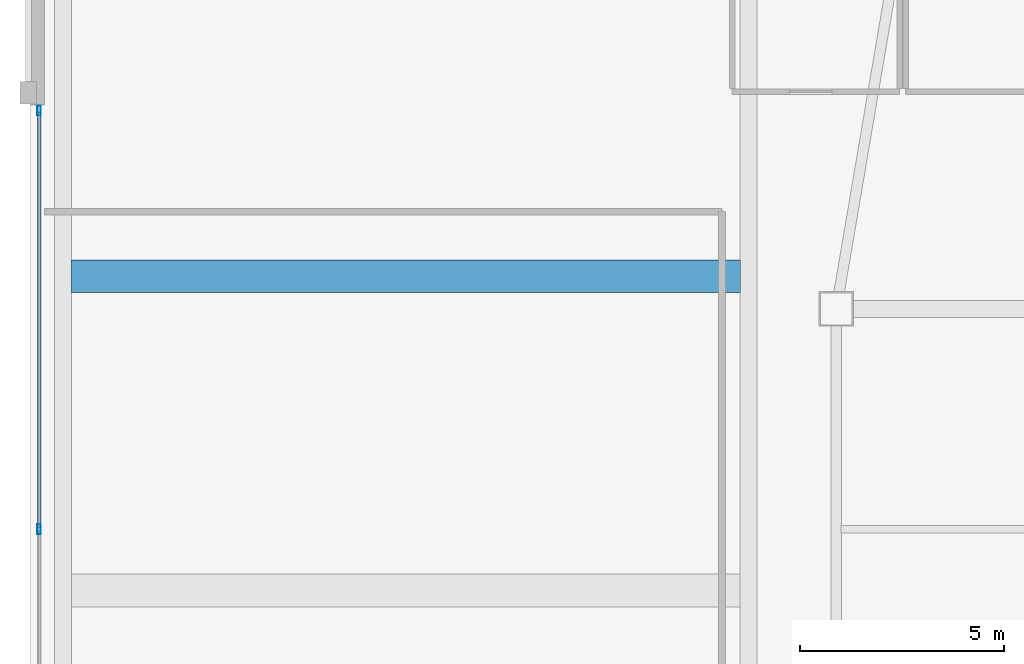
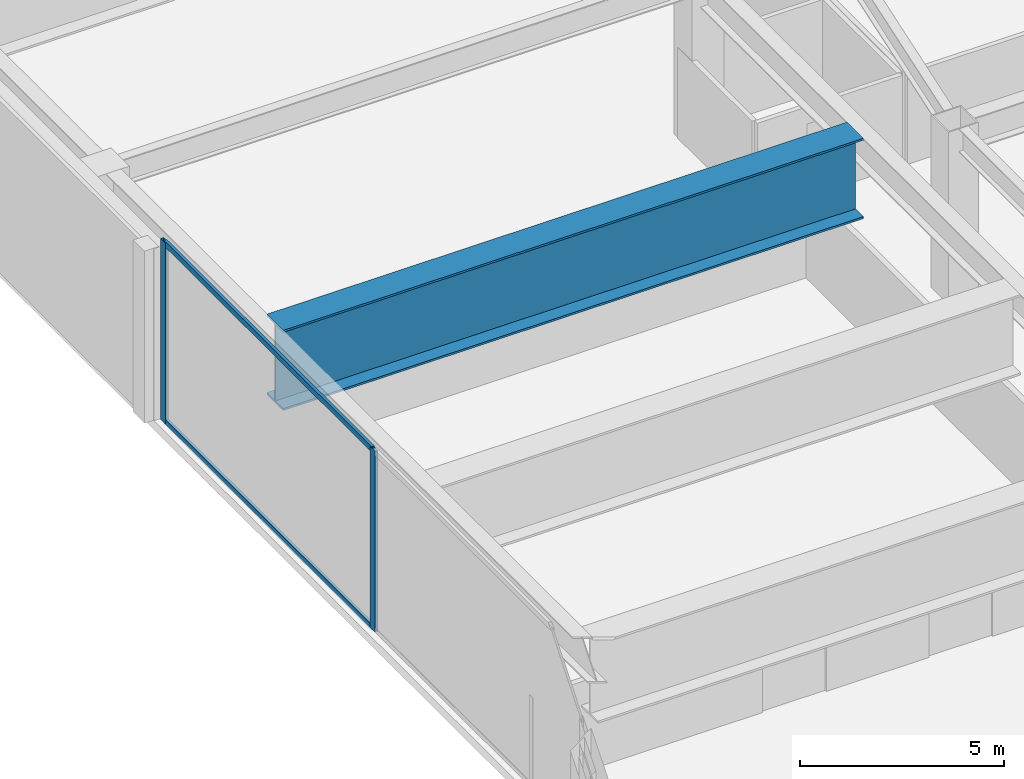
# One storey, part 10 of 48: 4 members, 1 beam, 1 element without a shape of its own.
"""IFC4 building model written with IfcOpenShell, lengths in metres."""

import ifcopenshell
import ifcopenshell.guid

model = None  # the IFC model being written
_history = None  # IfcOwnerHistory: only IFC2X3 demands one
_inside = {}  # id of a spatial element -> (the spatial element, [elements in it])
_under = {}  # id of a project, library or spatial element -> (it, [spatial elements below it])
_declared = {}  # id of a project -> (the project, [libraries it declares])
_typed = {}  # id of a type object -> (the type object, [elements of that type])
_made_of = {}  # id of a material, layer set ... -> (it, [elements and type objects made of it])


def new_model(schema):
    """Start an empty IFC model of exactly this schema.

    Asked for "IFC4X3", IfcOpenShell would pick the latest addendum, in which some entities
    have other attributes; the version numbers below select the first issue.
    IFC2X3 requires an IfcOwnerHistory on every rooted entity: one is made here for all.
    """
    global model, _history
    if schema == "IFC4X3":
        model = ifcopenshell.file(schema_version=(4, 3, 0, 0))
    else:
        model = ifcopenshell.file(schema=schema)
    _inside.clear()
    _under.clear()
    _declared.clear()
    _typed.clear()
    _made_of.clear()
    _history = None
    if model.schema == "IFC2X3":
        org = make("IfcOrganization", Name="unknown")
        user = make(
            "IfcPersonAndOrganization",
            ThePerson=make("IfcPerson", FamilyName="unknown"),
            TheOrganization=org,
        )
        app = make(
            "IfcApplication",
            ApplicationDeveloper=org,
            Version="unknown",
            ApplicationFullName="unknown",
            ApplicationIdentifier="unknown",
        )
        _history = make(
            "IfcOwnerHistory",
            OwningUser=user,
            OwningApplication=app,
            ChangeAction="ADDED",
            CreationDate=0,
        )
    return model


def make(cls, **values):
    """One entity of the class cls with the attributes given. An attribute that is None is left unset."""
    return model.create_entity(
        cls, **{name: value for name, value in values.items() if value is not None}
    )


def rooted(cls, **values):
    """An entity with a GlobalId (a new one), such as an element, a storey or a relation."""
    return make(cls, GlobalId=ifcopenshell.guid.new(), OwnerHistory=_history, **values)


def si_unit(unit_type, name, prefix=None):
    """IfcSIUnit, for example si_unit("LENGTHUNIT", "METRE", prefix="MILLI")."""
    return make("IfcSIUnit", UnitType=unit_type, Prefix=prefix, Name=name)


def assignment(units):
    """IfcUnitAssignment: the units of a project."""
    return None if units is None else make("IfcUnitAssignment", Units=units)


def point(xyz):
    """IfcCartesianPoint."""
    return None if xyz is None else make("IfcCartesianPoint", Coordinates=xyz)


def direction(xyz):
    """IfcDirection."""
    return None if xyz is None else make("IfcDirection", DirectionRatios=xyz)


def frame(location, z_axis=None, x_axis=None):
    """IfcAxis2Placement3D, a coordinate frame: its origin and axes. An axis left out is left unset."""
    return make(
        "IfcAxis2Placement3D",
        Location=point(location),
        Axis=direction(z_axis),
        RefDirection=direction(x_axis),
    )


def frame_2d(location, x_axis=None):
    """IfcAxis2Placement2D, a coordinate frame in the plane: its origin and x axis."""
    return make(
        "IfcAxis2Placement2D", Location=point(location), RefDirection=direction(x_axis)
    )


def origin():
    """The frame at (0, 0, 0) with its axes left unset."""
    return frame((0.0, 0.0, 0.0))


def origin_2d():
    """The frame at (0, 0) in the plane with its x axis left unset."""
    return frame_2d((0.0, 0.0))


def place(relative_to, where):
    """IfcLocalPlacement: puts the frame where relative to a parent placement (None: the world)."""
    return make(
        "IfcLocalPlacement", PlacementRelTo=relative_to, RelativePlacement=where
    )


def context(
    kind, dimensions, precision=None, world=None, true_north=None, identifier=None
):
    """IfcGeometricRepresentationContext, for example the 3D "Model" context."""
    return make(
        "IfcGeometricRepresentationContext",
        ContextIdentifier=identifier,
        ContextType=kind,
        CoordinateSpaceDimension=dimensions,
        Precision=precision,
        WorldCoordinateSystem=world,
        TrueNorth=true_north,
    )


def subcontext(parent, identifier, kind, view, scale=None):
    """IfcGeometricRepresentationSubContext, for example "Body" below "Model"."""
    return make(
        "IfcGeometricRepresentationSubContext",
        ContextIdentifier=identifier,
        ContextType=kind,
        ParentContext=parent,
        TargetScale=scale,
        TargetView=view,
    )


def project(units=None, contexts=None):
    """IfcProject with its units and contexts."""
    return rooted(
        "IfcProject",
        Name="project",
        RepresentationContexts=contexts,
        UnitsInContext=assignment(units),
    )


def spatial(cls, under=None, at=None, **own):
    """A site, building, storey or space (cls), placed at a placement, below another one or the project."""
    s = rooted(cls, ObjectPlacement=at, **own)
    if under is not None:
        _under.setdefault(under.id(), (under, []))[1].append(s)
    return s


def profile(cls, at=None, kind="AREA", **sizes):
    """A parametric profile (cls). Its sizes go by their IFC names, for example OverallWidth=200.0."""
    return make(cls, ProfileType=kind, Position=at, **sizes)


def hollow_rectangle(**sizes):
    """IfcRectangleHollowProfileDef."""
    return profile("IfcRectangleHollowProfileDef", **sizes)


def i_section(**sizes):
    """IfcIShapeProfileDef."""
    return profile("IfcIShapeProfileDef", **sizes)


def extrude(swept, where, along, depth):
    """IfcExtrudedAreaSolid: the profile swept, set in the frame where, extruded along a direction by depth."""
    return make(
        "IfcExtrudedAreaSolid",
        SweptArea=swept,
        Position=where,
        ExtrudedDirection=direction(along),
        Depth=depth,
    )


def shape(context_of_items, identifier, shape_type, items):
    """IfcShapeRepresentation: the items that make up one representation, for example the "Body"."""
    return make(
        "IfcShapeRepresentation",
        ContextOfItems=context_of_items,
        RepresentationIdentifier=identifier,
        RepresentationType=shape_type,
        Items=items,
    )


def material(Name=None, Category=None):
    """IfcMaterial."""
    return make("IfcMaterial", Name=Name, Category=Category)


def material_profile(
    of_material, cross_section, Name=None, Category=None, Priority=None
):
    """IfcMaterialProfile: a cross section and its material."""
    return make(
        "IfcMaterialProfile",
        Name=Name,
        Material=of_material,
        Profile=cross_section,
        Priority=Priority,
        Category=Category,
    )


def profile_set(profiles, Name=None, composite=None):
    """IfcMaterialProfileSet."""
    return make(
        "IfcMaterialProfileSet",
        Name=Name,
        MaterialProfiles=profiles,
        CompositeProfile=composite,
    )


def made_of(thing, what):
    """Note that an element or type object is made of a material, layer set ...; save() writes the relation."""
    if what is not None:
        _made_of.setdefault(what.id(), (what, []))[1].append(thing)
    return thing


def type_object(cls, material=None, **own):
    """A type object (cls), such as IfcWallType, which elements share."""
    return made_of(rooted(cls, **own), material)


def element(
    cls,
    number,
    at=None,
    inside=None,
    cuts=None,
    type_object=None,
    material=None,
    context=None,
    identifier="Body",
    shape_type=None,
    held_by="IfcProductDefinitionShape",
    body=None,
    shapes=None,
    **own,
):
    """One element of the class cls, such as IfcWall. Its Tag is "e" and its number.

    at: its placement. inside: the storey or other place that contains it. cuts: it is an
    opening in that element (IfcRelVoidsElement). A single representation is given by context,
    identifier, shape_type and body (its items); several are given by shapes. held_by: the class
    of the entity that holds the representations. save() writes the other relations.
    """
    e = rooted(cls, Tag="e%d" % number, ObjectPlacement=at, **own)
    if body is not None:
        shapes = [shape(context, identifier, shape_type, body)]
    if shapes is not None:
        e.Representation = make(held_by, Representations=shapes)
    if inside is not None:
        _inside.setdefault(inside.id(), (inside, []))[1].append(e)
    if cuts is not None:
        rooted(
            "IfcRelVoidsElement", RelatingBuildingElement=cuts, RelatedOpeningElement=e
        )
    if type_object is not None:
        _typed.setdefault(type_object.id(), (type_object, []))[1].append(e)
    return made_of(e, material)


def aggregate(whole, parts):
    """IfcRelAggregates: a whole, such as a stair, and the parts it consists of."""
    return rooted("IfcRelAggregates", RelatingObject=whole, RelatedObjects=parts)


def save(model, path):
    """Write the relations noted so far, then the file.

    IfcRelAggregates (storeys below a building ...), IfcRelContainedInSpatialStructure (elements
    in a storey), IfcRelDefinesByType, IfcRelAssociatesMaterial and IfcRelDeclares: one each for
    every whole, place, type object, material and project.
    """
    for whole, parts in _under.values():
        aggregate(whole, parts)
    for where, things in _inside.values():
        rooted(
            "IfcRelContainedInSpatialStructure",
            RelatedElements=things,
            RelatingStructure=where,
        )
    for kind, things in _typed.values():
        rooted("IfcRelDefinesByType", RelatedObjects=things, RelatingType=kind)
    for what, things in _made_of.values():
        rooted("IfcRelAssociatesMaterial", RelatedObjects=things, RelatingMaterial=what)
    for by, libraries in _declared.values():
        rooted("IfcRelDeclares", RelatingContext=by, RelatedDefinitions=libraries)
    model.write(path)


model = new_model("IFC4")

# Units and contexts
model_context = context("Model", 3, precision=1e-05, world=origin(), true_north=direction((0.0, 1.0)))
body_context = subcontext(model_context, "Body", "Model", "MODEL_VIEW")
ifc_project = project(units=[si_unit("LENGTHUNIT", "METRE"), si_unit("AREAUNIT", "SQUARE_METRE"), si_unit("VOLUMEUNIT", "CUBIC_METRE"), si_unit("PLANEANGLEUNIT", "RADIAN"), si_unit("MASSUNIT", "GRAM", prefix="KILO")], contexts=[model_context])

# Site, building, storey
site_placement = place(None, origin())
site = spatial("IfcSite", under=ifc_project, at=site_placement, CompositionType="ELEMENT")
building_placement = place(site_placement, origin())
building = spatial("IfcBuilding", under=site, at=building_placement, Name="Tashvorn Skyway Center", CompositionType="ELEMENT")
storey_placement = place(building_placement, frame((0.0, 0.0, 10.199951171875)))
storey = spatial("IfcBuildingStorey", under=building, at=storey_placement, Name="L02", CompositionType="ELEMENT", Elevation=10.199951171875)

# Beam
ifc_material_1 = material(Name="Steel ASTM A572 Grade 50", Category="steel")
ifc_material_profile_1 = material_profile(ifc_material_1, i_section(OverallWidth=0.800048828125, OverallDepth=2.39990234375, WebThickness=0.035888671875, FlangeThickness=0.06005859375, at=origin_2d()), Name="PG2400x800")
ifc_profile_set_1 = profile_set([ifc_material_profile_1], Name="Steel ASTM A572 Grade 50")
beam_type = type_object("IfcBeamType", Name="BM-BEAM-PG2400x800", PredefinedType="BEAM", material=ifc_profile_set_1)
beam_placement = place(storey_placement, frame((1.00146484375, 38.199951171875, 3.93994140625), z_axis=(1.0, 0.0, 0.0), x_axis=(0.0, 1.0, 0.0)))
element("IfcBeam", 1, at=beam_placement, inside=storey, type_object=beam_type, Name="L02 West Auditorium Span Girder 06", PredefinedType="BEAM", context=body_context, shape_type="SweptSolid", body=[
    extrude(i_section(OverallWidth=0.800048828125, OverallDepth=2.39990234375, WebThickness=0.035888671875, FlangeThickness=0.06005859375, at=origin_2d()), origin(), (0.0, 0.0, 1.0), 16.39697265625),
])

# Curtain wall, members
ifc_material_2 = material(Name="Thermally broken bronze-anodized aluminium 6063-T6", Category="aluminium")
curtain_wall_type = type_object("IfcCurtainWallType", Name="CW-CW-Z1", PredefinedType="NOTDEFINED", material=ifc_material_2)
curtain_wall_placement = place(storey_placement, origin())
curtain_wall = element("IfcCurtainWall", 2, at=curtain_wall_placement, inside=storey, type_object=curtain_wall_type, Name="L02 West Station Hall Portal Curtain Wall", PredefinedType="NOTDEFINED")
ifc_material_profile_2 = material_profile(ifc_material_2, hollow_rectangle(XDim=0.0849609375, YDim=0.239990234375, WallThickness=0.0048828125, at=origin_2d()), Name="ALU-MULL-85x240")
ifc_profile_set_2 = profile_set([ifc_material_profile_2], Name="Thermally broken bronze-anodized aluminium 6063-T6")
member_type_1 = type_object("IfcMemberType", Name="CWM-CW-Z1", PredefinedType="MULLION", material=ifc_profile_set_2)
member_1_placement = place(storey_placement, frame((0.219970703125, 32.0, 0.0), z_axis=(0.0, 0.0, 1.0), x_axis=(-1.0, 0.0, 0.0)))
member_1 = element("IfcMember", 3, at=member_1_placement, type_object=member_type_1, Name="CW-Z1 mullion 2", PredefinedType="MULLION", context=body_context, shape_type="SweptSolid", body=[
    extrude(hollow_rectangle(XDim=0.0849609375, YDim=0.239990234375, WallThickness=0.0048828125, at=origin_2d()), origin(), (0.0, 0.0, 1.0), 5.400146484375),
])
member_2_placement = place(storey_placement, frame((0.219970703125, 42.257568359375, 0.0), z_axis=(0.0, 0.0, 1.0), x_axis=(-1.0, 0.0, 0.0)))
member_2 = element("IfcMember", 4, at=member_2_placement, type_object=member_type_1, Name="CW-Z1 mullion 3", PredefinedType="MULLION", context=body_context, shape_type="SweptSolid", body=[
    extrude(hollow_rectangle(XDim=0.0849609375, YDim=0.239990234375, WallThickness=0.0048828125, at=origin_2d()), origin(), (0.0, 0.0, 1.0), 5.400146484375),
])
ifc_material_profile_3 = material_profile(ifc_material_2, hollow_rectangle(XDim=0.0849609375, YDim=0.1650390625, WallThickness=0.0048828125, at=origin_2d()), Name="ALU-TRAN-85x165")
ifc_profile_set_3 = profile_set([ifc_material_profile_3], Name="Thermally broken bronze-anodized aluminium 6063-T6")
member_type_2 = type_object("IfcMemberType", Name="CWT-CW-Z1", PredefinedType="USERDEFINED", material=ifc_profile_set_3)
member_3_placement = place(storey_placement, frame((0.219970703125, 32.04248046875, 0.04248046875), z_axis=(0.0, 1.0, 0.0), x_axis=(-1.0, 0.0, 0.0)))
member_3 = element("IfcMember", 5, at=member_3_placement, type_object=member_type_2, Name="CW-Z1 transom 2.1", ObjectType="TRANSOM", PredefinedType="USERDEFINED", context=body_context, shape_type="SweptSolid", body=[
    extrude(hollow_rectangle(XDim=0.0849609375, YDim=0.1650390625, WallThickness=0.0048828125, at=origin_2d()), origin(), (0.0, 0.0, 1.0), 10.172607421875),
])
member_4_placement = place(storey_placement, frame((0.219970703125, 32.04248046875, 5.357666015625), z_axis=(0.0, 1.0, 0.0), x_axis=(-1.0, 0.0, 0.0)))
member_4 = element("IfcMember", 6, at=member_4_placement, type_object=member_type_2, Name="CW-Z1 transom 2.2", ObjectType="TRANSOM", PredefinedType="USERDEFINED", context=body_context, shape_type="SweptSolid", body=[
    extrude(hollow_rectangle(XDim=0.0849609375, YDim=0.1650390625, WallThickness=0.0048828125, at=origin_2d()), origin(), (0.0, 0.0, 1.0), 10.172607421875),
])
aggregate(curtain_wall, [member_1, member_2, member_3, member_4])

save(model, "model.ifc")
